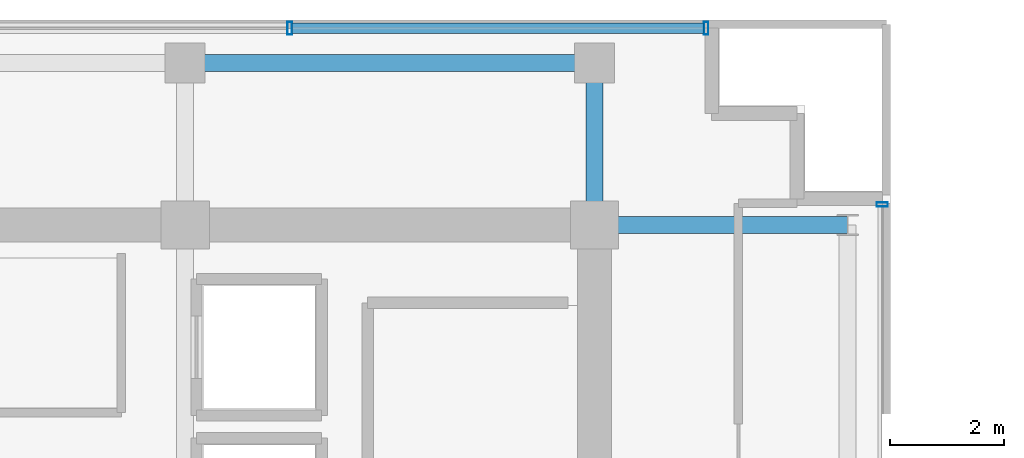
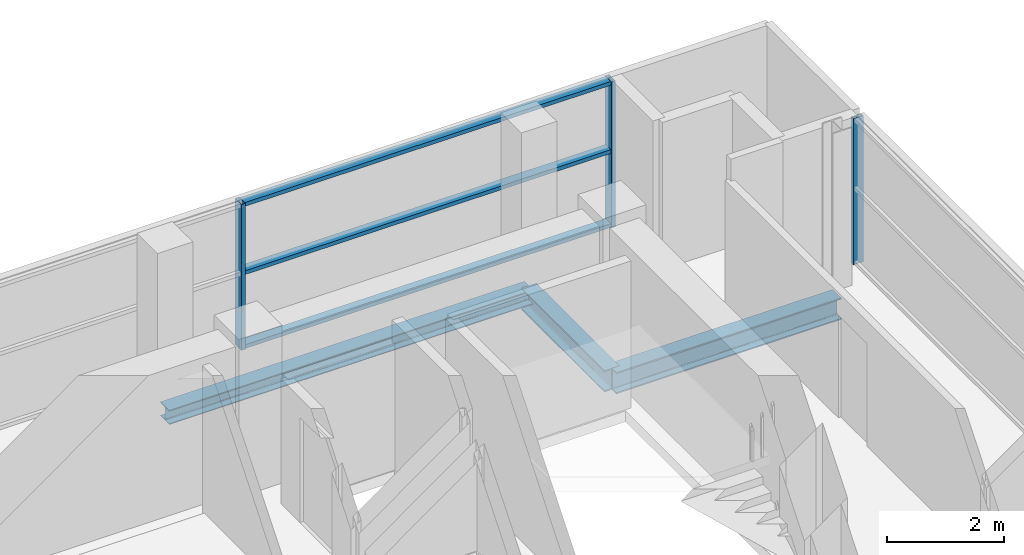
# One storey, part 14 of 23: 6 members, 3 beams, 2 elements without a shape of their own.
"""IFC4 building model written with IfcOpenShell, lengths in metres."""

from ifc_helpers import new_model, si_unit, direction, frame, origin, origin_2d, place, context, subcontext, project, spatial, hollow_rectangle, i_section, extrude, source, transform, mapped, material, layer, layer_set, material_profile, profile_set, type_object, element, aggregate, save


model = new_model("IFC4")

# Units and contexts
model_context = context("Model", 3, precision=1e-05, world=origin(), true_north=direction((0.0, 1.0)))
body_context = subcontext(model_context, "Body", "Model", "MODEL_VIEW")
ifc_project = project(units=[si_unit("LENGTHUNIT", "METRE"), si_unit("AREAUNIT", "SQUARE_METRE"), si_unit("VOLUMEUNIT", "CUBIC_METRE"), si_unit("PLANEANGLEUNIT", "RADIAN"), si_unit("MASSUNIT", "GRAM", prefix="KILO")], contexts=[model_context])

# Site, building, storey
site_placement = place(None, origin())
site = spatial("IfcSite", under=ifc_project, at=site_placement, CompositionType="ELEMENT")
building_placement = place(site_placement, origin())
building = spatial("IfcBuilding", under=site, at=building_placement, Name="Zarnakvel Exchange Tower", CompositionType="ELEMENT")
storey_placement = place(building_placement, frame((0.0, 0.0, 212.199951171875)))
storey = spatial("IfcBuildingStorey", under=building, at=storey_placement, Name="L59", CompositionType="ELEMENT", Elevation=212.199951171875)

# Beams
ifc_material_1 = material(Name="Steel S355", Category="steel")
ifc_material_profile_1 = material_profile(ifc_material_1, i_section(OverallWidth=0.300048828125, OverallDepth=0.449951171875, WebThickness=0.013916015625, FlangeThickness=0.02587890625, FilletRadius=0.027099609375, at=origin_2d()))
ifc_profile_set_1 = profile_set([ifc_material_profile_1], Name="Steel S355")
beam_type_1 = type_object("IfcBeamType", Name="G-07", PredefinedType="BEAM", material=ifc_profile_set_1)
beam_1_placement = place(storey_placement, frame((14.39990234375, 13.5, -0.449951171875), z_axis=(1.0, 0.0, 0.0), x_axis=(0.0, 1.0, 0.0)))
element("IfcBeam", 1, at=beam_1_placement, inside=storey, type_object=beam_type_1, Name="L59 Tower E-W Frame Beam", PredefinedType="BEAM", context=body_context, shape_type="SweptSolid", body=[
    extrude(i_section(OverallWidth=0.300048828125, OverallDepth=0.449951171875, WebThickness=0.013916015625, FlangeThickness=0.02587890625, FilletRadius=0.027099609375, at=origin_2d()), origin(), (0.0, 0.0, 1.0), 4.4501953125),
])
beam_2_placement = place(storey_placement, frame((14.39990234375, 13.5, -0.449951171875), z_axis=(0.0, 1.0, 0.0), x_axis=(-1.0, 0.0, 0.0)))
element("IfcBeam", 2, at=beam_2_placement, inside=storey, type_object=beam_type_1, Name="L59 Tower N-S Frame Beam", PredefinedType="BEAM", context=body_context, shape_type="SweptSolid", body=[
    extrude(i_section(OverallWidth=0.300048828125, OverallDepth=0.449951171875, WebThickness=0.013916015625, FlangeThickness=0.02587890625, FilletRadius=0.027099609375, at=origin_2d()), origin(), (0.0, 0.0, 1.0), 2.85009765625),
])
ifc_material_profile_2 = material_profile(ifc_material_1, i_section(OverallWidth=0.300048828125, OverallDepth=0.300048828125, WebThickness=0.010986328125, FlangeThickness=0.01904296875, FilletRadius=0.027099609375, at=origin_2d()))
ifc_profile_set_2 = profile_set([ifc_material_profile_2], Name="Steel S355")
beam_type_2 = type_object("IfcBeamType", Name="SP-03", PredefinedType="SPANDREL", material=ifc_profile_set_2)
beam_3_placement = place(storey_placement, frame((7.199951171875, 16.35009765625, -0.375), z_axis=(1.0, 0.0, 0.0), x_axis=(0.0, 1.0, 0.0)))
element("IfcBeam", 3, at=beam_3_placement, inside=storey, type_object=beam_type_2, Name="L59 Tower E-W Frame Beam", PredefinedType="SPANDREL", context=body_context, shape_type="SweptSolid", body=[
    extrude(i_section(OverallWidth=0.300048828125, OverallDepth=0.300048828125, WebThickness=0.010986328125, FlangeThickness=0.01904296875, FilletRadius=0.027099609375, at=origin_2d()), origin(), (0.0, 0.0, 1.0), 7.199951171875),
])

# Curtain wall, member
ifc_material_2 = material(Name="Architectural Bronze Anodised Aluminium", Category="aluminium")
ifc_layer_1 = layer(ifc_material_2, 0.199951171875)
ifc_layer_set_1 = layer_set([ifc_layer_1], Name="Architectural Bronze Anodised Aluminium")
curtain_wall_type_1 = type_object("IfcCurtainWallType", Name="CW-04", PredefinedType="NOTDEFINED", material=ifc_layer_set_1)
curtain_wall_1_placement = place(storey_placement, origin())
curtain_wall_1 = element("IfcCurtainWall", 4, at=curtain_wall_1_placement, inside=storey, type_object=curtain_wall_type_1, Name="L59 Curtain Wall CW-L59-EN (CW-04)", PredefinedType="NOTDEFINED")
ifc_material_profile_3 = material_profile(ifc_material_2, hollow_rectangle(XDim=0.199951171875, YDim=0.074951171875, WallThickness=0.0048828125, at=origin_2d()))
ifc_profile_set_3 = profile_set([ifc_material_profile_3], Name="Architectural Bronze Anodised Aluminium")
member_type_1 = type_object("IfcMemberType", Name="CWM-04", PredefinedType="MULLION", material=ifc_profile_set_3)
shared_shape_1 = source(origin(), body_context, "Body", "SweptSolid", [
    extrude(hollow_rectangle(XDim=0.199951171875, YDim=0.074951171875, WallThickness=0.0048828125, at=origin_2d()), origin(), (0.0, 0.0, 1.0), 3.054931640625),
])
member_1_placement = place(storey_placement, frame((19.4599609375, 13.862548828125, 0.0), z_axis=(0.0, 0.0, 1.0), x_axis=(-1.0, 0.0, 0.0)))
member_1 = element("IfcMember", 5, at=member_1_placement, type_object=member_type_1, Name="CW-04 mullion 3", PredefinedType="MULLION", context=body_context, shape_type="MappedRepresentation", body=[
    mapped(shared_shape_1, transform((0.0, 0.0, 0.0), x_axis=(1.0, 0.0, 0.0), y_axis=(0.0, 1.0, 0.0), z_axis=(0.0, 0.0, 1.0), scale=1.0)),
])
aggregate(curtain_wall_1, [member_1])

# Curtain wall, members
ifc_layer_2 = layer(ifc_material_2, 0.219970703125)
ifc_layer_set_2 = layer_set([ifc_layer_2], Name="Architectural Bronze Anodised Aluminium")
curtain_wall_type_2 = type_object("IfcCurtainWallType", Name="CW-03", PredefinedType="NOTDEFINED", material=ifc_layer_set_2)
curtain_wall_2_placement = place(storey_placement, origin())
curtain_wall_2 = element("IfcCurtainWall", 6, at=curtain_wall_2_placement, inside=storey, type_object=curtain_wall_type_2, Name="L59 Curtain Wall CW-L59-N1 (CW-03)", PredefinedType="NOTDEFINED")
ifc_material_profile_4 = material_profile(ifc_material_2, hollow_rectangle(XDim=0.219970703125, YDim=0.080078125, WallThickness=0.0048828125, at=origin_2d()))
ifc_profile_set_4 = profile_set([ifc_material_profile_4], Name="Architectural Bronze Anodised Aluminium")
member_type_2 = type_object("IfcMemberType", Name="CWM-03", PredefinedType="MULLION", material=ifc_profile_set_4)
shared_shape_2 = source(origin(), body_context, "Body", "SweptSolid", [
    extrude(hollow_rectangle(XDim=0.219970703125, YDim=0.080078125, WallThickness=0.0048828125, at=origin_2d()), origin(), (0.0, 0.0, 1.0), 3.054931640625),
])
member_2_placement = place(storey_placement, frame((9.0400390625, 16.9599609375, 0.0), z_axis=(0.0, 0.0, 1.0), x_axis=(0.0, 1.0, 0.0)))
member_2 = element("IfcMember", 7, at=member_2_placement, type_object=member_type_2, Name="CW-03 mullion 5", PredefinedType="MULLION", context=body_context, shape_type="MappedRepresentation", body=[
    mapped(shared_shape_2, transform((0.0, 0.0, 0.0), x_axis=(1.0, 0.0, 0.0), y_axis=(0.0, 1.0, 0.0), z_axis=(0.0, 0.0, 1.0), scale=1.0)),
])
member_3_placement = place(storey_placement, frame((16.360107421875, 16.9599609375, 0.0), z_axis=(0.0, 0.0, 1.0), x_axis=(0.0, 1.0, 0.0)))
member_3 = element("IfcMember", 8, at=member_3_placement, type_object=member_type_2, Name="CW-03 mullion 6", PredefinedType="MULLION", context=body_context, shape_type="MappedRepresentation", body=[
    mapped(shared_shape_2, transform((0.0, 0.0, 0.0), x_axis=(1.0, 0.0, 0.0), y_axis=(0.0, 1.0, 0.0), z_axis=(0.0, 0.0, 1.0), scale=1.0)),
])
ifc_material_profile_5 = material_profile(ifc_material_2, hollow_rectangle(XDim=0.179931640625, YDim=0.080078125, WallThickness=0.00390625, at=origin_2d()))
ifc_profile_set_5 = profile_set([ifc_material_profile_5], Name="Architectural Bronze Anodised Aluminium")
member_type_3 = type_object("IfcMemberType", Name="CWT-03", PredefinedType="USERDEFINED", material=ifc_profile_set_5)
shared_shape_3 = source(origin(), body_context, "Body", "SweptSolid", [
    extrude(hollow_rectangle(XDim=0.179931640625, YDim=0.080078125, WallThickness=0.00390625, at=origin_2d()), origin(), (0.0, 0.0, 1.0), 7.239990234375),
])
member_4_placement = place(storey_placement, frame((9.080078125, 16.9599609375, 0.0400390625), z_axis=(1.0, 0.0, 0.0), x_axis=(0.0, 1.0, 0.0)))
member_4 = element("IfcMember", 9, at=member_4_placement, type_object=member_type_3, Name="CW-03 transom 5.1", ObjectType="TRANSOM", PredefinedType="USERDEFINED", context=body_context, shape_type="MappedRepresentation", body=[
    mapped(shared_shape_3, transform((0.0, 0.0, 0.0), x_axis=(1.0, 0.0, 0.0), y_axis=(0.0, 1.0, 0.0), z_axis=(0.0, 0.0, 1.0), scale=1.0)),
])
member_5_placement = place(storey_placement, frame((9.080078125, 16.9599609375, 1.588623046875), z_axis=(1.0, 0.0, 0.0), x_axis=(0.0, 1.0, 0.0)))
member_5 = element("IfcMember", 10, at=member_5_placement, type_object=member_type_3, Name="CW-03 transom 5.2", ObjectType="TRANSOM", PredefinedType="USERDEFINED", context=body_context, shape_type="MappedRepresentation", body=[
    mapped(shared_shape_3, transform((0.0, 0.0, 0.0), x_axis=(1.0, 0.0, 0.0), y_axis=(0.0, 1.0, 0.0), z_axis=(0.0, 0.0, 1.0), scale=1.0)),
])
member_6_placement = place(storey_placement, frame((9.080078125, 16.9599609375, 3.01513671875), z_axis=(1.0, 0.0, 0.0), x_axis=(0.0, 1.0, 0.0)))
member_6 = element("IfcMember", 11, at=member_6_placement, type_object=member_type_3, Name="CW-03 transom 5.3", ObjectType="TRANSOM", PredefinedType="USERDEFINED", context=body_context, shape_type="MappedRepresentation", body=[
    mapped(shared_shape_3, transform((0.0, 0.0, 0.0), x_axis=(1.0, 0.0, 0.0), y_axis=(0.0, 1.0, 0.0), z_axis=(0.0, 0.0, 1.0), scale=1.0)),
])
aggregate(curtain_wall_2, [member_2, member_3, member_4, member_5, member_6])

save(model, "model.ifc")
